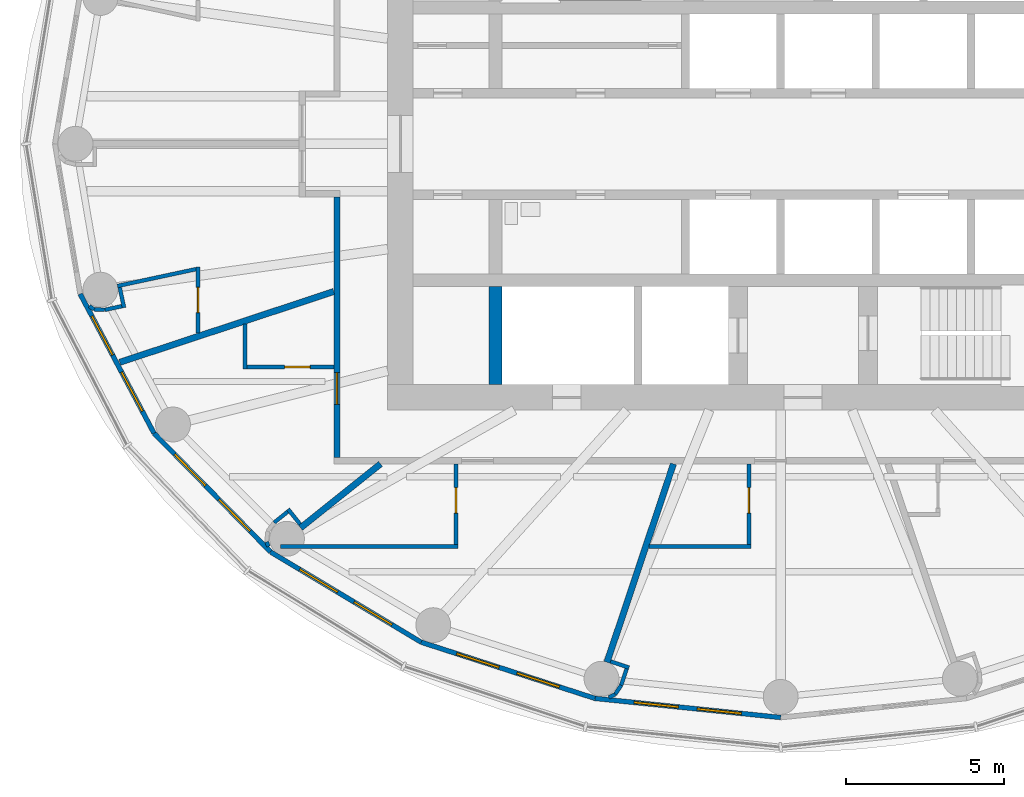
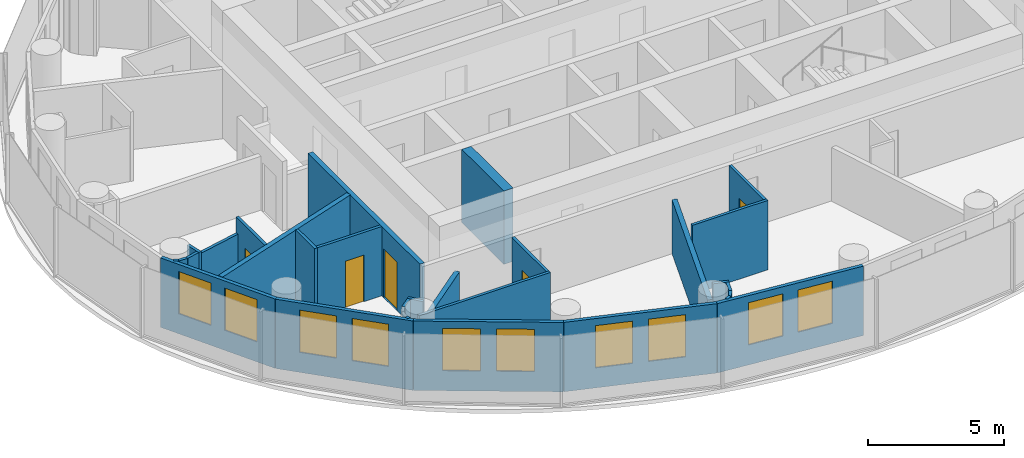
# One storey, part 6 of 16: 29 walls, 10 windows, 5 doors, 15 openings.
"""IFC4 building model written with IfcOpenShell, lengths in metres."""

import ifcopenshell
import ifcopenshell.guid

model = None  # the IFC model being written
_history = None  # IfcOwnerHistory: only IFC2X3 demands one
_inside = {}  # id of a spatial element -> (the spatial element, [elements in it])
_under = {}  # id of a project, library or spatial element -> (it, [spatial elements below it])
_declared = {}  # id of a project -> (the project, [libraries it declares])
_typed = {}  # id of a type object -> (the type object, [elements of that type])
_made_of = {}  # id of a material, layer set ... -> (it, [elements and type objects made of it])


def new_model(schema):
    """Start an empty IFC model of exactly this schema.

    Asked for "IFC4X3", IfcOpenShell would pick the latest addendum, in which some entities
    have other attributes; the version numbers below select the first issue.
    IFC2X3 requires an IfcOwnerHistory on every rooted entity: one is made here for all.
    """
    global model, _history
    if schema == "IFC4X3":
        model = ifcopenshell.file(schema_version=(4, 3, 0, 0))
    else:
        model = ifcopenshell.file(schema=schema)
    _inside.clear()
    _under.clear()
    _declared.clear()
    _typed.clear()
    _made_of.clear()
    _history = None
    if model.schema == "IFC2X3":
        org = make("IfcOrganization", Name="unknown")
        user = make(
            "IfcPersonAndOrganization",
            ThePerson=make("IfcPerson", FamilyName="unknown"),
            TheOrganization=org,
        )
        app = make(
            "IfcApplication",
            ApplicationDeveloper=org,
            Version="unknown",
            ApplicationFullName="unknown",
            ApplicationIdentifier="unknown",
        )
        _history = make(
            "IfcOwnerHistory",
            OwningUser=user,
            OwningApplication=app,
            ChangeAction="ADDED",
            CreationDate=0,
        )
    return model


def make(cls, **values):
    """One entity of the class cls with the attributes given. An attribute that is None is left unset."""
    return model.create_entity(
        cls, **{name: value for name, value in values.items() if value is not None}
    )


def rooted(cls, **values):
    """An entity with a GlobalId (a new one), such as an element, a storey or a relation."""
    return make(cls, GlobalId=ifcopenshell.guid.new(), OwnerHistory=_history, **values)


def si_unit(unit_type, name, prefix=None):
    """IfcSIUnit, for example si_unit("LENGTHUNIT", "METRE", prefix="MILLI")."""
    return make("IfcSIUnit", UnitType=unit_type, Prefix=prefix, Name=name)


def assignment(units):
    """IfcUnitAssignment: the units of a project."""
    return None if units is None else make("IfcUnitAssignment", Units=units)


def point(xyz):
    """IfcCartesianPoint."""
    return None if xyz is None else make("IfcCartesianPoint", Coordinates=xyz)


def direction(xyz):
    """IfcDirection."""
    return None if xyz is None else make("IfcDirection", DirectionRatios=xyz)


def frame(location, z_axis=None, x_axis=None):
    """IfcAxis2Placement3D, a coordinate frame: its origin and axes. An axis left out is left unset."""
    return make(
        "IfcAxis2Placement3D",
        Location=point(location),
        Axis=direction(z_axis),
        RefDirection=direction(x_axis),
    )


def frame_2d(location, x_axis=None):
    """IfcAxis2Placement2D, a coordinate frame in the plane: its origin and x axis."""
    return make(
        "IfcAxis2Placement2D", Location=point(location), RefDirection=direction(x_axis)
    )


def origin():
    """The frame at (0, 0, 0) with its axes left unset."""
    return frame((0.0, 0.0, 0.0))


def place(relative_to, where):
    """IfcLocalPlacement: puts the frame where relative to a parent placement (None: the world)."""
    return make(
        "IfcLocalPlacement", PlacementRelTo=relative_to, RelativePlacement=where
    )


def context(
    kind, dimensions, precision=None, world=None, true_north=None, identifier=None
):
    """IfcGeometricRepresentationContext, for example the 3D "Model" context."""
    return make(
        "IfcGeometricRepresentationContext",
        ContextIdentifier=identifier,
        ContextType=kind,
        CoordinateSpaceDimension=dimensions,
        Precision=precision,
        WorldCoordinateSystem=world,
        TrueNorth=true_north,
    )


def subcontext(parent, identifier, kind, view, scale=None):
    """IfcGeometricRepresentationSubContext, for example "Body" below "Model"."""
    return make(
        "IfcGeometricRepresentationSubContext",
        ContextIdentifier=identifier,
        ContextType=kind,
        ParentContext=parent,
        TargetScale=scale,
        TargetView=view,
    )


def project(units=None, contexts=None):
    """IfcProject with its units and contexts."""
    return rooted(
        "IfcProject",
        Name="project",
        RepresentationContexts=contexts,
        UnitsInContext=assignment(units),
    )


def spatial(cls, under=None, at=None, **own):
    """A site, building, storey or space (cls), placed at a placement, below another one or the project."""
    s = rooted(cls, ObjectPlacement=at, **own)
    if under is not None:
        _under.setdefault(under.id(), (under, []))[1].append(s)
    return s


def profile(cls, at=None, kind="AREA", **sizes):
    """A parametric profile (cls). Its sizes go by their IFC names, for example OverallWidth=200.0."""
    return make(cls, ProfileType=kind, Position=at, **sizes)


def rectangle(**sizes):
    """IfcRectangleProfileDef."""
    return profile("IfcRectangleProfileDef", **sizes)


def extrude(swept, where, along, depth):
    """IfcExtrudedAreaSolid: the profile swept, set in the frame where, extruded along a direction by depth."""
    return make(
        "IfcExtrudedAreaSolid",
        SweptArea=swept,
        Position=where,
        ExtrudedDirection=direction(along),
        Depth=depth,
    )


def shape(context_of_items, identifier, shape_type, items):
    """IfcShapeRepresentation: the items that make up one representation, for example the "Body"."""
    return make(
        "IfcShapeRepresentation",
        ContextOfItems=context_of_items,
        RepresentationIdentifier=identifier,
        RepresentationType=shape_type,
        Items=items,
    )


def material(Name=None, Category=None):
    """IfcMaterial."""
    return make("IfcMaterial", Name=Name, Category=Category)


def layer(
    of_material, thickness, ventilated=None, Name=None, Category=None, Priority=None
):
    """IfcMaterialLayer: one layer of a wall or slab, of a material (None: an air gap)."""
    return make(
        "IfcMaterialLayer",
        Material=of_material,
        LayerThickness=thickness,
        IsVentilated=ventilated,
        Name=Name,
        Category=Category,
        Priority=Priority,
    )


def layer_set(layers, Name=None):
    """IfcMaterialLayerSet."""
    return make("IfcMaterialLayerSet", MaterialLayers=layers, LayerSetName=Name)


def made_of(thing, what):
    """Note that an element or type object is made of a material, layer set ...; save() writes the relation."""
    if what is not None:
        _made_of.setdefault(what.id(), (what, []))[1].append(thing)
    return thing


def type_object(cls, material=None, **own):
    """A type object (cls), such as IfcWallType, which elements share."""
    return made_of(rooted(cls, **own), material)


def element(
    cls,
    number,
    at=None,
    inside=None,
    cuts=None,
    type_object=None,
    material=None,
    context=None,
    identifier="Body",
    shape_type=None,
    held_by="IfcProductDefinitionShape",
    body=None,
    shapes=None,
    **own,
):
    """One element of the class cls, such as IfcWall. Its Tag is "e" and its number.

    at: its placement. inside: the storey or other place that contains it. cuts: it is an
    opening in that element (IfcRelVoidsElement). A single representation is given by context,
    identifier, shape_type and body (its items); several are given by shapes. held_by: the class
    of the entity that holds the representations. save() writes the other relations.
    """
    e = rooted(cls, Tag="e%d" % number, ObjectPlacement=at, **own)
    if body is not None:
        shapes = [shape(context, identifier, shape_type, body)]
    if shapes is not None:
        e.Representation = make(held_by, Representations=shapes)
    if inside is not None:
        _inside.setdefault(inside.id(), (inside, []))[1].append(e)
    if cuts is not None:
        rooted(
            "IfcRelVoidsElement", RelatingBuildingElement=cuts, RelatedOpeningElement=e
        )
    if type_object is not None:
        _typed.setdefault(type_object.id(), (type_object, []))[1].append(e)
    return made_of(e, material)


def fill(opening, filler):
    """IfcRelFillsElement: the door or window that sits in an opening."""
    return rooted(
        "IfcRelFillsElement",
        RelatingOpeningElement=opening,
        RelatedBuildingElement=filler,
    )


def aggregate(whole, parts):
    """IfcRelAggregates: a whole, such as a stair, and the parts it consists of."""
    return rooted("IfcRelAggregates", RelatingObject=whole, RelatedObjects=parts)


def save(model, path):
    """Write the relations noted so far, then the file.

    IfcRelAggregates (storeys below a building ...), IfcRelContainedInSpatialStructure (elements
    in a storey), IfcRelDefinesByType, IfcRelAssociatesMaterial and IfcRelDeclares: one each for
    every whole, place, type object, material and project.
    """
    for whole, parts in _under.values():
        aggregate(whole, parts)
    for where, things in _inside.values():
        rooted(
            "IfcRelContainedInSpatialStructure",
            RelatedElements=things,
            RelatingStructure=where,
        )
    for kind, things in _typed.values():
        rooted("IfcRelDefinesByType", RelatedObjects=things, RelatingType=kind)
    for what, things in _made_of.values():
        rooted("IfcRelAssociatesMaterial", RelatedObjects=things, RelatingMaterial=what)
    for by, libraries in _declared.values():
        rooted("IfcRelDeclares", RelatingContext=by, RelatedDefinitions=libraries)
    model.write(path)


model = new_model("IFC4")

# Units and contexts
model_context = context("Model", 3, precision=1e-05, world=origin(), true_north=direction((0.0, 1.0)))
body_context = subcontext(model_context, "Body", "Model", "MODEL_VIEW")
ifc_project = project(units=[si_unit("LENGTHUNIT", "METRE"), si_unit("AREAUNIT", "SQUARE_METRE"), si_unit("VOLUMEUNIT", "CUBIC_METRE"), si_unit("PLANEANGLEUNIT", "RADIAN"), si_unit("MASSUNIT", "GRAM", prefix="KILO")], contexts=[model_context])

# Site, building, storey
site_placement = place(None, origin())
site = spatial("IfcSite", under=ifc_project, at=site_placement, CompositionType="ELEMENT")
building_placement = place(site_placement, origin())
building = spatial("IfcBuilding", under=site, at=building_placement, Name="Hankou Lantern Tower", CompositionType="ELEMENT")
storey_placement = place(building_placement, frame((0.0, 0.0, 169.800048828125)))
storey = spatial("IfcBuildingStorey", under=building, at=storey_placement, Name="L45", CompositionType="ELEMENT", Elevation=169.800048828125)

# Wall
ifc_material_1 = material(Name="Concrete C60", Category="concrete")
ifc_layer_1 = layer(ifc_material_1, 0.39990234375)
ifc_layer_set_1 = layer_set([ifc_layer_1], Name="Concrete C60")
wall_type_1 = type_object("IfcWallType", Name="CW4 CORE CROSS WALL 400", PredefinedType="SHEAR", material=ifc_layer_set_1)
wall_1_placement = place(storey_placement, frame((-9.0, -7.60009765625, 0.0), z_axis=(0.0, 0.0, 1.0), x_axis=(0.0, 1.0, 0.0)))
element("IfcWall", 1, at=wall_1_placement, inside=storey, type_object=wall_type_1, Name="Core strip wall L45", PredefinedType="SHEAR", context=body_context, shape_type="SweptSolid", body=[
    extrude(rectangle(XDim=3.10009765625, YDim=0.39990234375, at=frame_2d((1.550048828125, 0.0))), origin(), (0.0, 0.0, 1.0), 3.300048828125),
])

# Wall, openings, windows
ifc_material_2 = material(Name="Aluminium spandrel panel on steel studs", Category="steel")
ifc_layer_2 = layer(ifc_material_2, 0.14990234375)
ifc_layer_set_2 = layer_set([ifc_layer_2], Name="Aluminium spandrel panel on steel studs")
wall_type_2 = type_object("IfcWallType", Name="EW1 INNER SKIN WALL 150", PredefinedType="ELEMENTEDWALL", material=ifc_layer_set_2)
wall_2_placement = place(storey_placement, frame((-22.1015625, -4.73779296875, 0.0), z_axis=(0.0, 0.0, 1.0), x_axis=(0.468428906714, -0.883501193748, 0.0)))
wall_2 = element("IfcWall", 2, at=wall_2_placement, inside=storey, type_object=wall_type_2, Name="Inner skin R14-R15 L45", PredefinedType="ELEMENTEDWALL", context=body_context, shape_type="SweptSolid", body=[
    extrude(rectangle(XDim=4.9736328125, YDim=0.14990234375, at=frame_2d((2.48681640625, 0.0))), origin(), (0.0, 0.0, 1.0), 3.119873046875),
])
opening_1_placement = place(wall_2_placement, frame((0.786865234375, 0.0, 0.89990234375)))
opening_1 = element("IfcOpeningElement", 3, at=opening_1_placement, cuts=wall_2, Name="Opening W3", PredefinedType="OPENING", context=body_context, shape_type="SweptSolid", body=[
    extrude(rectangle(XDim=1.39990234375, YDim=1.89990234375, at=frame_2d((0.699951171875, 0.949951171875))), frame((0.0, 0.0849609375, 0.0), z_axis=(0.0, -1.0, 0.0), x_axis=(1.0, 0.0, 0.0)), (0.0, 0.0, 1.0), 0.169921875),
])
opening_2_placement = place(wall_2_placement, frame((2.786865234375, 0.0, 0.89990234375)))
opening_2 = element("IfcOpeningElement", 4, at=opening_2_placement, cuts=wall_2, Name="Opening W3", PredefinedType="OPENING", context=body_context, shape_type="SweptSolid", body=[
    extrude(rectangle(XDim=1.39990234375, YDim=1.89990234375, at=frame_2d((0.699951171875, 0.949951171875))), frame((0.0, 0.0849609375, 0.0), z_axis=(0.0, -1.0, 0.0), x_axis=(1.0, 0.0, 0.0)), (0.0, 0.0, 1.0), 0.169921875),
])
ifc_material_3 = material(Name="Aluminium framed double glazed window", Category="aluminium")
window_type = type_object("IfcWindowType", Name="W3 GUEST ROOM WINDOW 1400X1900", PartitioningType="DOUBLE_PANEL_VERTICAL", PredefinedType="WINDOW", material=ifc_material_3)
window_1_placement = place(opening_1_placement, origin())
window_1 = element("IfcWindow", 5, at=window_1_placement, inside=storey, type_object=window_type, Name="Window R14.1 L45", OverallHeight=1.89990234375, OverallWidth=1.39990234375, PartitioningType="SINGLE_PANEL", PredefinedType="WINDOW", context=body_context, shape_type="SweptSolid", body=[
    extrude(rectangle(XDim=1.39990234375, YDim=1.89990234375, at=frame_2d((0.699951171875, 0.949951171875))), frame((0.0, 0.030029296875, 0.0), z_axis=(0.0, -1.0, 0.0), x_axis=(1.0, 0.0, 0.0)), (0.0, 0.0, 1.0), 0.06005859375),
])
fill(opening_1, window_1)
window_2_placement = place(opening_2_placement, origin())
window_2 = element("IfcWindow", 6, at=window_2_placement, inside=storey, type_object=window_type, Name="Window R14.2 L45", OverallHeight=1.89990234375, OverallWidth=1.39990234375, PartitioningType="SINGLE_PANEL", PredefinedType="WINDOW", context=body_context, shape_type="SweptSolid", body=[
    extrude(rectangle(XDim=1.39990234375, YDim=1.89990234375, at=frame_2d((0.699951171875, 0.949951171875))), frame((0.0, 0.030029296875, 0.0), z_axis=(0.0, -1.0, 0.0), x_axis=(1.0, 0.0, 0.0)), (0.0, 0.0, 1.0), 0.06005859375),
])
fill(opening_2, window_2)

wall_3_placement = place(storey_placement, frame((-19.771728515625, -9.132080078125, 0.0), z_axis=(0.0, 0.0, 1.0), x_axis=(0.700727467776, -0.71342905457, 0.0)))
wall_3 = element("IfcWall", 7, at=wall_3_placement, inside=storey, type_object=wall_type_2, Name="Inner skin R15-R16 L45", PredefinedType="ELEMENTEDWALL", context=body_context, shape_type="SweptSolid", body=[
    extrude(rectangle(XDim=5.247314453125, YDim=0.14990234375, at=frame_2d((2.62353515625, 0.0))), origin(), (0.0, 0.0, 1.0), 3.119873046875),
])
opening_3_placement = place(wall_3_placement, frame((0.923583984375, 0.0, 0.89990234375)))
opening_3 = element("IfcOpeningElement", 8, at=opening_3_placement, cuts=wall_3, Name="Opening W3", PredefinedType="OPENING", context=body_context, shape_type="SweptSolid", body=[
    extrude(rectangle(XDim=1.39990234375, YDim=1.89990234375, at=frame_2d((0.699951171875, 0.949951171875))), frame((0.0, 0.0849609375, 0.0), z_axis=(0.0, -1.0, 0.0), x_axis=(1.0, 0.0, 0.0)), (0.0, 0.0, 1.0), 0.169921875),
])
opening_4_placement = place(wall_3_placement, frame((2.923583984375, 0.0, 0.89990234375)))
opening_4 = element("IfcOpeningElement", 9, at=opening_4_placement, cuts=wall_3, Name="Opening W3", PredefinedType="OPENING", context=body_context, shape_type="SweptSolid", body=[
    extrude(rectangle(XDim=1.39990234375, YDim=1.89990234375, at=frame_2d((0.699951171875, 0.949951171875))), frame((0.0, 0.0849609375, 0.0), z_axis=(0.0, -1.0, 0.0), x_axis=(1.0, 0.0, 0.0)), (0.0, 0.0, 1.0), 0.169921875),
])
window_3_placement = place(opening_3_placement, origin())
window_3 = element("IfcWindow", 10, at=window_3_placement, inside=storey, type_object=window_type, Name="Window R15.1 L45", OverallHeight=1.89990234375, OverallWidth=1.39990234375, PartitioningType="SINGLE_PANEL", PredefinedType="WINDOW", context=body_context, shape_type="SweptSolid", body=[
    extrude(rectangle(XDim=1.39990234375, YDim=1.89990234375, at=frame_2d((0.699951171875, 0.949951171875))), frame((0.0, 0.030029296875, 0.0), z_axis=(0.0, -1.0, 0.0), x_axis=(1.0, 0.0, 0.0)), (0.0, 0.0, 1.0), 0.06005859375),
])
fill(opening_3, window_3)
window_4_placement = place(opening_4_placement, origin())
window_4 = element("IfcWindow", 11, at=window_4_placement, inside=storey, type_object=window_type, Name="Window R15.2 L45", OverallHeight=1.89990234375, OverallWidth=1.39990234375, PartitioningType="SINGLE_PANEL", PredefinedType="WINDOW", context=body_context, shape_type="SweptSolid", body=[
    extrude(rectangle(XDim=1.39990234375, YDim=1.89990234375, at=frame_2d((0.699951171875, 0.949951171875))), frame((0.0, 0.030029296875, 0.0), z_axis=(0.0, -1.0, 0.0), x_axis=(1.0, 0.0, 0.0)), (0.0, 0.0, 1.0), 0.06005859375),
])
fill(opening_4, window_4)

wall_4_placement = place(storey_placement, frame((-16.0947265625, -12.875732421875, 0.0), z_axis=(0.0, 0.0, 1.0), x_axis=(0.857695199231, -0.514158482587, 0.0)))
wall_4 = element("IfcWall", 12, at=wall_4_placement, inside=storey, type_object=wall_type_2, Name="Inner skin R16-R17 L45", PredefinedType="ELEMENTEDWALL", context=body_context, shape_type="SweptSolid", body=[
    extrude(rectangle(XDim=5.5361328125, YDim=0.14990234375, at=frame_2d((2.76806640625, 0.0))), origin(), (0.0, 0.0, 1.0), 3.119873046875),
])
opening_5_placement = place(wall_4_placement, frame((1.068115234375, 0.0, 0.89990234375)))
opening_5 = element("IfcOpeningElement", 13, at=opening_5_placement, cuts=wall_4, Name="Opening W3", PredefinedType="OPENING", context=body_context, shape_type="SweptSolid", body=[
    extrude(rectangle(XDim=1.39990234375, YDim=1.89990234375, at=frame_2d((0.699951171875, 0.949951171875))), frame((0.0, 0.0849609375, 0.0), z_axis=(0.0, -1.0, 0.0), x_axis=(1.0, 0.0, 0.0)), (0.0, 0.0, 1.0), 0.169921875),
])
opening_6_placement = place(wall_4_placement, frame((3.068115234375, 0.0, 0.89990234375)))
opening_6 = element("IfcOpeningElement", 14, at=opening_6_placement, cuts=wall_4, Name="Opening W3", PredefinedType="OPENING", context=body_context, shape_type="SweptSolid", body=[
    extrude(rectangle(XDim=1.39990234375, YDim=1.89990234375, at=frame_2d((0.699951171875, 0.949951171875))), frame((0.0, 0.0849609375, 0.0), z_axis=(0.0, -1.0, 0.0), x_axis=(1.0, 0.0, 0.0)), (0.0, 0.0, 1.0), 0.169921875),
])
window_5_placement = place(opening_5_placement, origin())
window_5 = element("IfcWindow", 15, at=window_5_placement, inside=storey, type_object=window_type, Name="Window R16.1 L45", OverallHeight=1.89990234375, OverallWidth=1.39990234375, PartitioningType="SINGLE_PANEL", PredefinedType="WINDOW", context=body_context, shape_type="SweptSolid", body=[
    extrude(rectangle(XDim=1.39990234375, YDim=1.89990234375, at=frame_2d((0.699951171875, 0.949951171875))), frame((0.0, 0.030029296875, 0.0), z_axis=(0.0, -1.0, 0.0), x_axis=(1.0, 0.0, 0.0)), (0.0, 0.0, 1.0), 0.06005859375),
])
fill(opening_5, window_5)
window_6_placement = place(opening_6_placement, origin())
window_6 = element("IfcWindow", 16, at=window_6_placement, inside=storey, type_object=window_type, Name="Window R16.2 L45", OverallHeight=1.89990234375, OverallWidth=1.39990234375, PartitioningType="SINGLE_PANEL", PredefinedType="WINDOW", context=body_context, shape_type="SweptSolid", body=[
    extrude(rectangle(XDim=1.39990234375, YDim=1.89990234375, at=frame_2d((0.699951171875, 0.949951171875))), frame((0.0, 0.030029296875, 0.0), z_axis=(0.0, -1.0, 0.0), x_axis=(1.0, 0.0, 0.0)), (0.0, 0.0, 1.0), 0.06005859375),
])
fill(opening_6, window_6)

wall_5_placement = place(storey_placement, frame((-11.346435546875, -15.72216796875, 0.0), z_axis=(0.0, 0.0, 1.0), x_axis=(0.951432482129, -0.307857486429, 0.0)))
wall_5 = element("IfcWall", 17, at=wall_5_placement, inside=storey, type_object=wall_type_2, Name="Inner skin R17-R18 L45", PredefinedType="ELEMENTEDWALL", context=body_context, shape_type="SweptSolid", body=[
    extrude(rectangle(XDim=5.76611328125, YDim=0.14990234375, at=frame_2d((2.883056640625, 0.0))), origin(), (0.0, 0.0, 1.0), 3.119873046875),
])
opening_7_placement = place(wall_5_placement, frame((1.18310546875, 0.0, 0.89990234375)))
opening_7 = element("IfcOpeningElement", 18, at=opening_7_placement, cuts=wall_5, Name="Opening W3", PredefinedType="OPENING", context=body_context, shape_type="SweptSolid", body=[
    extrude(rectangle(XDim=1.39990234375, YDim=1.89990234375, at=frame_2d((0.699951171875, 0.949951171875))), frame((0.0, 0.0849609375, 0.0), z_axis=(0.0, -1.0, 0.0), x_axis=(1.0, 0.0, 0.0)), (0.0, 0.0, 1.0), 0.169921875),
])
opening_8_placement = place(wall_5_placement, frame((3.18310546875, 0.0, 0.89990234375)))
opening_8 = element("IfcOpeningElement", 19, at=opening_8_placement, cuts=wall_5, Name="Opening W3", PredefinedType="OPENING", context=body_context, shape_type="SweptSolid", body=[
    extrude(rectangle(XDim=1.39990234375, YDim=1.89990234375, at=frame_2d((0.699951171875, 0.949951171875))), frame((0.0, 0.0849609375, 0.0), z_axis=(0.0, -1.0, 0.0), x_axis=(1.0, 0.0, 0.0)), (0.0, 0.0, 1.0), 0.169921875),
])
window_7_placement = place(opening_7_placement, origin())
window_7 = element("IfcWindow", 20, at=window_7_placement, inside=storey, type_object=window_type, Name="Window R17.1 L45", OverallHeight=1.89990234375, OverallWidth=1.39990234375, PartitioningType="SINGLE_PANEL", PredefinedType="WINDOW", context=body_context, shape_type="SweptSolid", body=[
    extrude(rectangle(XDim=1.39990234375, YDim=1.89990234375, at=frame_2d((0.699951171875, 0.949951171875))), frame((0.0, 0.030029296875, 0.0), z_axis=(0.0, -1.0, 0.0), x_axis=(1.0, 0.0, 0.0)), (0.0, 0.0, 1.0), 0.06005859375),
])
fill(opening_7, window_7)
window_8_placement = place(opening_8_placement, origin())
window_8 = element("IfcWindow", 21, at=window_8_placement, inside=storey, type_object=window_type, Name="Window R17.2 L45", OverallHeight=1.89990234375, OverallWidth=1.39990234375, PartitioningType="SINGLE_PANEL", PredefinedType="WINDOW", context=body_context, shape_type="SweptSolid", body=[
    extrude(rectangle(XDim=1.39990234375, YDim=1.89990234375, at=frame_2d((0.699951171875, 0.949951171875))), frame((0.0, 0.030029296875, 0.0), z_axis=(0.0, -1.0, 0.0), x_axis=(1.0, 0.0, 0.0)), (0.0, 0.0, 1.0), 0.06005859375),
])
fill(opening_8, window_8)

wall_6_placement = place(storey_placement, frame((-5.8603515625, -17.497314453125, 0.0), z_axis=(0.0, 0.0, 1.0), x_axis=(0.994751738032, -0.102318032045, 0.0)))
wall_6 = element("IfcWall", 22, at=wall_6_placement, inside=storey, type_object=wall_type_2, Name="Inner skin R18-R19 L45", PredefinedType="ELEMENTEDWALL", context=body_context, shape_type="SweptSolid", body=[
    extrude(rectangle(XDim=5.891357421875, YDim=0.14990234375, at=frame_2d((2.94580078125, 0.0))), origin(), (0.0, 0.0, 1.0), 3.119873046875),
])
opening_9_placement = place(wall_6_placement, frame((1.24560546875, 0.0, 0.89990234375)))
opening_9 = element("IfcOpeningElement", 23, at=opening_9_placement, cuts=wall_6, Name="Opening W3", PredefinedType="OPENING", context=body_context, shape_type="SweptSolid", body=[
    extrude(rectangle(XDim=1.39990234375, YDim=1.89990234375, at=frame_2d((0.699951171875, 0.949951171875))), frame((0.0, 0.0849609375, 0.0), z_axis=(0.0, -1.0, 0.0), x_axis=(1.0, 0.0, 0.0)), (0.0, 0.0, 1.0), 0.169921875),
])
opening_10_placement = place(wall_6_placement, frame((3.24560546875, 0.0, 0.89990234375)))
opening_10 = element("IfcOpeningElement", 24, at=opening_10_placement, cuts=wall_6, Name="Opening W3", PredefinedType="OPENING", context=body_context, shape_type="SweptSolid", body=[
    extrude(rectangle(XDim=1.39990234375, YDim=1.89990234375, at=frame_2d((0.699951171875, 0.949951171875))), frame((0.0, 0.0849609375, 0.0), z_axis=(0.0, -1.0, 0.0), x_axis=(1.0, 0.0, 0.0)), (0.0, 0.0, 1.0), 0.169921875),
])
window_9_placement = place(opening_9_placement, origin())
window_9 = element("IfcWindow", 25, at=window_9_placement, inside=storey, type_object=window_type, Name="Window R18.1 L45", OverallHeight=1.89990234375, OverallWidth=1.39990234375, PartitioningType="SINGLE_PANEL", PredefinedType="WINDOW", context=body_context, shape_type="SweptSolid", body=[
    extrude(rectangle(XDim=1.39990234375, YDim=1.89990234375, at=frame_2d((0.699951171875, 0.949951171875))), frame((0.0, 0.030029296875, 0.0), z_axis=(0.0, -1.0, 0.0), x_axis=(1.0, 0.0, 0.0)), (0.0, 0.0, 1.0), 0.06005859375),
])
fill(opening_9, window_9)
window_10_placement = place(opening_10_placement, origin())
window_10 = element("IfcWindow", 26, at=window_10_placement, inside=storey, type_object=window_type, Name="Window R18.2 L45", OverallHeight=1.89990234375, OverallWidth=1.39990234375, PartitioningType="SINGLE_PANEL", PredefinedType="WINDOW", context=body_context, shape_type="SweptSolid", body=[
    extrude(rectangle(XDim=1.39990234375, YDim=1.89990234375, at=frame_2d((0.699951171875, 0.949951171875))), frame((0.0, 0.030029296875, 0.0), z_axis=(0.0, -1.0, 0.0), x_axis=(1.0, 0.0, 0.0)), (0.0, 0.0, 1.0), 0.06005859375),
])
fill(opening_10, window_10)

# Walls
ifc_material_4 = material(Name="Masonry lightweight concrete block", Category="masonry")
ifc_layer_3 = layer(ifc_material_4, 0.199951171875)
ifc_layer_set_3 = layer_set([ifc_layer_3], Name="Masonry lightweight concrete block")
wall_type_3 = type_object("IfcWallType", Name="IW1 GUEST ROOM PARTY WALL 200", PredefinedType="PARTITIONING", material=ifc_layer_set_3)
wall_7_placement = place(storey_placement, frame((-14.10009765625, -4.661376953125, 0.0), z_axis=(0.0, 0.0, 1.0), x_axis=(-0.949453216399, -0.313908569285, 0.0)))
element("IfcWall", 27, at=wall_7_placement, inside=storey, type_object=wall_type_3, Name="Party wall R14-R15", PredefinedType="PARTITIONING", context=body_context, shape_type="SweptSolid", body=[
    extrude(rectangle(XDim=7.108642578125, YDim=0.199951171875, at=frame_2d((3.55419921875, 0.0))), origin(), (0.0, 0.0, 1.0), 3.119873046875),
])
wall_8_placement = place(storey_placement, frame((-12.625, -10.10009765625, 0.0), z_axis=(0.0, 0.0, 1.0), x_axis=(-0.780876185034, -0.624685827954, 0.0)))
element("IfcWall", 28, at=wall_8_placement, inside=storey, type_object=wall_type_3, Name="Party wall R16", PredefinedType="PARTITIONING", context=body_context, shape_type="SweptSolid", body=[
    extrude(rectangle(XDim=3.229248046875, YDim=0.199951171875, at=frame_2d((1.61474609375, 0.0))), origin(), (0.0, 0.0, 1.0), 2.419921875),
])
wall_9_placement = place(storey_placement, frame((-3.3828125, -10.10009765625, 0.0), z_axis=(0.0, 0.0, 1.0), x_axis=(-0.317615120474, -0.948219718866, 0.0)))
element("IfcWall", 29, at=wall_9_placement, inside=storey, type_object=wall_type_3, Name="Party wall R18", PredefinedType="PARTITIONING", context=body_context, shape_type="SweptSolid", body=[
    extrude(rectangle(XDim=6.597412109375, YDim=0.199951171875, at=frame_2d((3.298828125, 0.0))), origin(), (0.0, 0.0, 1.0), 2.419921875),
])

# Wall, opening, door
ifc_material_5 = material(Name="Masonry lightweight concrete block", Category="masonry")
ifc_layer_4 = layer(ifc_material_5, 0.199951171875)
ifc_layer_set_4 = layer_set([ifc_layer_4], Name="Masonry lightweight concrete block")
wall_type_4 = type_object("IfcWallType", Name="IW2 CORRIDOR WALL 200", PredefinedType="PARTITIONING", material=ifc_layer_set_4)
wall_10_placement = place(storey_placement, frame((-14.0, -1.669921875, 0.0), z_axis=(0.0, 0.0, 1.0), x_axis=(0.0, -1.0, 0.0)))
wall_10 = element("IfcWall", 30, at=wall_10_placement, inside=storey, type_object=wall_type_4, Name="Corridor wall west", PredefinedType="PARTITIONING", context=body_context, shape_type="SweptSolid", body=[
    extrude(rectangle(XDim=8.22998046875, YDim=0.199951171875, at=frame_2d((4.114990234375, 0.0))), origin(), (0.0, 0.0, 1.0), 3.119873046875),
])
opening_11_placement = place(wall_10_placement, frame((5.551513671875, 0.0, 0.0)))
opening_11 = element("IfcOpeningElement", 31, at=opening_11_placement, cuts=wall_10, Name="Opening D1", PredefinedType="OPENING", context=body_context, shape_type="SweptSolid", body=[
    extrude(rectangle(XDim=1.0, YDim=2.199951171875, at=frame_2d((0.5, 1.10009765625))), frame((0.0, 0.10986328125, 0.0), z_axis=(0.0, -1.0, 0.0), x_axis=(1.0, 0.0, 0.0)), (0.0, 0.0, 1.0), 0.219970703125),
])
ifc_material_6 = material(Name="Steel door leaf", Category="steel")
door_type_1 = type_object("IfcDoorType", Name="D1 GUEST ROOM DOOR 1000X2200", OperationType="SINGLE_SWING_LEFT", PredefinedType="DOOR", material=ifc_material_6)
door_1_placement = place(opening_11_placement, origin())
door_1 = element("IfcDoor", 32, at=door_1_placement, inside=storey, type_object=door_type_1, Name="Guest room door 4514", OperationType="SINGLE_SWING_RIGHT", OverallHeight=2.199951171875, OverallWidth=1.0, PredefinedType="DOOR", context=body_context, shape_type="SweptSolid", body=[
    extrude(rectangle(XDim=1.0, YDim=2.199951171875, at=frame_2d((0.5, 1.10009765625))), frame((0.0, 0.02490234375, 0.0), z_axis=(0.0, -1.0, 0.0), x_axis=(1.0, 0.0, 0.0)), (0.0, 0.0, 1.0), 0.050048828125),
])
fill(opening_11, door_1)

# Wall
ifc_material_7 = material(Name="Masonry lightweight concrete block", Category="masonry")
ifc_layer_5 = layer(ifc_material_7, 0.1201171875)
ifc_layer_set_5 = layer_set([ifc_layer_5], Name="Masonry lightweight concrete block")
wall_type_5 = type_object("IfcWallType", Name="IW3 BATHROOM WALL 120", PredefinedType="PARTITIONING", material=ifc_layer_set_5)
wall_11_placement = place(storey_placement, frame((-15.77490234375, -12.699951171875, 0.0), z_axis=(0.0, 0.0, 1.0), x_axis=(1.0, 0.0, 0.0)))
element("IfcWall", 33, at=wall_11_placement, inside=storey, type_object=wall_type_5, Name="Box wall 4501 1", PredefinedType="PARTITIONING", context=body_context, shape_type="SweptSolid", body=[
    extrude(rectangle(XDim=5.58984375, YDim=0.1201171875, at=frame_2d((2.794921875, 0.0))), origin(), (0.0, 0.0, 1.0), 3.119873046875),
])

# Wall, opening, door
wall_12_placement = place(storey_placement, frame((-10.2451171875, -10.10009765625, 0.0), z_axis=(0.0, 0.0, 1.0), x_axis=(0.0, -1.0, 0.0)))
wall_12 = element("IfcWall", 34, at=wall_12_placement, inside=storey, type_object=wall_type_5, Name="Box wall 4501 1", PredefinedType="PARTITIONING", context=body_context, shape_type="SweptSolid", body=[
    extrude(rectangle(XDim=2.539794921875, YDim=0.1201171875, at=frame_2d((1.27001953125, 0.0))), origin(), (0.0, 0.0, 1.0), 3.119873046875),
])
opening_12_placement = place(wall_12_placement, frame((0.75, 0.0, 0.0)))
opening_12 = element("IfcOpeningElement", 35, at=opening_12_placement, cuts=wall_12, Name="Opening D3", PredefinedType="OPENING", context=body_context, shape_type="SweptSolid", body=[
    extrude(rectangle(XDim=0.800048828125, YDim=2.10009765625, at=frame_2d((0.39990234375, 1.050048828125))), frame((0.0, 0.070068359375, 0.0), z_axis=(0.0, -1.0, 0.0), x_axis=(1.0, 0.0, 0.0)), (0.0, 0.0, 1.0), 0.14013671875),
])
ifc_material_8 = material(Name="Timber door leaf", Category="wood")
door_type_2 = type_object("IfcDoorType", Name="D3 BATHROOM DOOR 800X2100", OperationType="SINGLE_SWING_LEFT", PredefinedType="DOOR", material=ifc_material_8)
door_2_placement = place(opening_12_placement, origin())
door_2 = element("IfcDoor", 36, at=door_2_placement, inside=storey, type_object=door_type_2, Name="Junior suite 4501 bathroom door", OperationType="SINGLE_SWING_LEFT", OverallHeight=2.10009765625, OverallWidth=0.800048828125, PredefinedType="DOOR", context=body_context, shape_type="SweptSolid", body=[
    extrude(rectangle(XDim=0.800048828125, YDim=2.10009765625, at=frame_2d((0.39990234375, 1.050048828125))), frame((0.0, 0.02490234375, 0.0), z_axis=(0.0, -1.0, 0.0), x_axis=(1.0, 0.0, 0.0)), (0.0, 0.0, 1.0), 0.050048828125),
])
fill(opening_12, door_2)

# Wall
wall_13_placement = place(storey_placement, frame((-4.15380859375, -12.699951171875, 0.0), z_axis=(0.0, 0.0, 1.0), x_axis=(1.0, 0.0, 0.0)))
element("IfcWall", 37, at=wall_13_placement, inside=storey, type_object=wall_type_5, Name="Box wall 4502 1", PredefinedType="PARTITIONING", context=body_context, shape_type="SweptSolid", body=[
    extrude(rectangle(XDim=3.2109375, YDim=0.1201171875, at=frame_2d((1.60546875, 0.0))), origin(), (0.0, 0.0, 1.0), 3.119873046875),
])

# Wall, opening, door
wall_14_placement = place(storey_placement, frame((-1.0029296875, -10.10009765625, 0.0), z_axis=(0.0, 0.0, 1.0), x_axis=(0.0, -1.0, 0.0)))
wall_14 = element("IfcWall", 38, at=wall_14_placement, inside=storey, type_object=wall_type_5, Name="Box wall 4502 1", PredefinedType="PARTITIONING", context=body_context, shape_type="SweptSolid", body=[
    extrude(rectangle(XDim=2.539794921875, YDim=0.1201171875, at=frame_2d((1.27001953125, 0.0))), origin(), (0.0, 0.0, 1.0), 3.119873046875),
])
opening_13_placement = place(wall_14_placement, frame((0.75, 0.0, 0.0)))
opening_13 = element("IfcOpeningElement", 39, at=opening_13_placement, cuts=wall_14, Name="Opening D3", PredefinedType="OPENING", context=body_context, shape_type="SweptSolid", body=[
    extrude(rectangle(XDim=0.800048828125, YDim=2.10009765625, at=frame_2d((0.39990234375, 1.050048828125))), frame((0.0, 0.070068359375, 0.0), z_axis=(0.0, -1.0, 0.0), x_axis=(1.0, 0.0, 0.0)), (0.0, 0.0, 1.0), 0.14013671875),
])
door_3_placement = place(opening_13_placement, origin())
door_3 = element("IfcDoor", 40, at=door_3_placement, inside=storey, type_object=door_type_2, Name="Junior suite 4502 bathroom door", OperationType="SINGLE_SWING_LEFT", OverallHeight=2.10009765625, OverallWidth=0.800048828125, PredefinedType="DOOR", context=body_context, shape_type="SweptSolid", body=[
    extrude(rectangle(XDim=0.800048828125, YDim=2.10009765625, at=frame_2d((0.39990234375, 1.050048828125))), frame((0.0, 0.02490234375, 0.0), z_axis=(0.0, -1.0, 0.0), x_axis=(1.0, 0.0, 0.0)), (0.0, 0.0, 1.0), 0.050048828125),
])
fill(opening_13, door_3)

wall_15_placement = place(storey_placement, frame((-18.380859375, -5.971435546875, 0.0), z_axis=(0.0, 0.0, 1.0), x_axis=(-0.000934142516, 0.999999563689, 0.0)))
wall_15 = element("IfcWall", 41, at=wall_15_placement, inside=storey, type_object=wall_type_5, Name="Box wall 4513 1", PredefinedType="PARTITIONING", context=body_context, shape_type="SweptSolid", body=[
    extrude(rectangle(XDim=2.0908203125, YDim=0.1201171875, at=frame_2d((1.04541015625, 0.0))), origin(), (0.0, 0.0, 1.0), 3.119873046875),
])
opening_14_placement = place(wall_15_placement, frame((0.6455078125, 0.0, 0.0)))
opening_14 = element("IfcOpeningElement", 42, at=opening_14_placement, cuts=wall_15, Name="Opening D3", PredefinedType="OPENING", context=body_context, shape_type="SweptSolid", body=[
    extrude(rectangle(XDim=0.800048828125, YDim=2.10009765625, at=frame_2d((0.39990234375, 1.050048828125))), frame((0.0, 0.070068359375, 0.0), z_axis=(0.0, -1.0, 0.0), x_axis=(1.0, 0.0, 0.0)), (0.0, 0.0, 1.0), 0.14013671875),
])
door_4_placement = place(opening_14_placement, origin())
door_4 = element("IfcDoor", 43, at=door_4_placement, inside=storey, type_object=door_type_2, Name="En-suite bathroom 4513 door", OperationType="SINGLE_SWING_RIGHT", OverallHeight=2.10009765625, OverallWidth=0.800048828125, PredefinedType="DOOR", context=body_context, shape_type="SweptSolid", body=[
    extrude(rectangle(XDim=0.800048828125, YDim=2.10009765625, at=frame_2d((0.39990234375, 1.050048828125))), frame((0.0, 0.02490234375, 0.0), z_axis=(0.0, -1.0, 0.0), x_axis=(1.0, 0.0, 0.0)), (0.0, 0.0, 1.0), 0.050048828125),
])
fill(opening_14, door_4)

# Walls
wall_16_placement = place(storey_placement, frame((-18.44140625, -3.953125, 0.0), z_axis=(0.0, 0.0, 1.0), x_axis=(-0.977801007461, -0.209535652833, 0.0)))
element("IfcWall", 44, at=wall_16_placement, inside=storey, type_object=wall_type_5, Name="Box wall 4513 2", PredefinedType="PARTITIONING", context=body_context, shape_type="SweptSolid", body=[
    extrude(rectangle(XDim=2.5400390625, YDim=0.1201171875, at=frame_2d((1.27001953125, 0.0))), origin(), (0.0, 0.0, 1.0), 2.419921875),
])
wall_17_placement = place(storey_placement, frame((-20.853759765625, -4.531494140625, 0.0), z_axis=(0.0, 0.0, 1.0), x_axis=(0.209631346779, -0.977780496046, 0.0)))
element("IfcWall", 45, at=wall_17_placement, inside=storey, type_object=wall_type_5, Name="Column casing 4513 return", PredefinedType="PARTITIONING", context=body_context, shape_type="SweptSolid", body=[
    extrude(rectangle(XDim=0.652099609375, YDim=0.1201171875, at=frame_2d((0.326171875, 0.0))), origin(), (0.0, 0.0, 1.0), 3.119873046875),
])
wall_18_placement = place(storey_placement, frame((-20.788330078125, -5.123291015625, 0.0), z_axis=(0.0, 0.0, 1.0), x_axis=(-0.977789415726, -0.209589738521, 0.0)))
element("IfcWall", 46, at=wall_18_placement, inside=storey, type_object=wall_type_5, Name="Column casing 4513", PredefinedType="PARTITIONING", context=body_context, shape_type="SweptSolid", body=[
    extrude(rectangle(XDim=0.5498046875, YDim=0.1201171875, at=frame_2d((0.27490234375, 0.0))), origin(), (0.0, 0.0, 1.0), 3.119873046875),
])
wall_19_placement = place(storey_placement, frame((-21.325927734375, -5.238525390625, 0.0), z_axis=(0.0, 0.0, 1.0), x_axis=(-0.998719689441, 0.050586380797, 0.0)))
element("IfcWall", 47, at=wall_19_placement, inside=storey, type_object=wall_type_5, Name="Column casing 4513", PredefinedType="PARTITIONING", context=body_context, shape_type="SweptSolid", body=[
    extrude(rectangle(XDim=0.337890625, YDim=0.1201171875, at=frame_2d((0.1689453125, 0.0))), origin(), (0.0, 0.0, 1.0), 3.119873046875),
])
wall_20_placement = place(storey_placement, frame((-21.663330078125, -5.221435546875, 0.0), z_axis=(0.0, 0.0, 1.0), x_axis=(-0.839279022252, 0.543700949795, 0.0)))
element("IfcWall", 48, at=wall_20_placement, inside=storey, type_object=wall_type_5, Name="Column casing 4513", PredefinedType="PARTITIONING", context=body_context, shape_type="SweptSolid", body=[
    extrude(rectangle(XDim=0.18017578125, YDim=0.1201171875, at=frame_2d((0.090087890625, 0.0))), origin(), (0.0, 0.0, 1.0), 3.119873046875),
])
wall_21_placement = place(storey_placement, frame((-16.89990234375, -5.687255859375, 0.0), z_axis=(0.0, 0.0, 1.0), x_axis=(0.0, -1.0, 0.0)))
element("IfcWall", 49, at=wall_21_placement, inside=storey, type_object=wall_type_5, Name="Box wall 4514 1", PredefinedType="PARTITIONING", context=body_context, shape_type="SweptSolid", body=[
    extrude(rectangle(XDim=1.414306640625, YDim=0.1201171875, at=frame_2d((0.70703125, 0.0))), origin(), (0.0, 0.0, 1.0), 3.119873046875),
])

# Wall, opening, door
wall_22_placement = place(storey_placement, frame((-14.10009765625, -7.04150390625, 0.0), z_axis=(0.0, 0.0, 1.0), x_axis=(-1.0, 0.0, 0.0)))
wall_22 = element("IfcWall", 50, at=wall_22_placement, inside=storey, type_object=wall_type_5, Name="Box wall 4514 1", PredefinedType="PARTITIONING", context=body_context, shape_type="SweptSolid", body=[
    extrude(rectangle(XDim=2.739990234375, YDim=0.1201171875, at=frame_2d((1.3701171875, 0.0))), origin(), (0.0, 0.0, 1.0), 3.119873046875),
])
opening_15_placement = place(wall_22_placement, frame((0.75, 0.0, 0.0)))
opening_15 = element("IfcOpeningElement", 51, at=opening_15_placement, cuts=wall_22, Name="Opening D3", PredefinedType="OPENING", context=body_context, shape_type="SweptSolid", body=[
    extrude(rectangle(XDim=0.800048828125, YDim=2.10009765625, at=frame_2d((0.39990234375, 1.050048828125))), frame((0.0, 0.070068359375, 0.0), z_axis=(0.0, -1.0, 0.0), x_axis=(1.0, 0.0, 0.0)), (0.0, 0.0, 1.0), 0.14013671875),
])
door_5_placement = place(opening_15_placement, origin())
door_5 = element("IfcDoor", 52, at=door_5_placement, inside=storey, type_object=door_type_2, Name="En-suite bathroom 4514 door", OperationType="SINGLE_SWING_LEFT", OverallHeight=2.10009765625, OverallWidth=0.800048828125, PredefinedType="DOOR", context=body_context, shape_type="SweptSolid", body=[
    extrude(rectangle(XDim=0.800048828125, YDim=2.10009765625, at=frame_2d((0.39990234375, 1.050048828125))), frame((0.0, 0.02490234375, 0.0), z_axis=(0.0, -1.0, 0.0), x_axis=(1.0, 0.0, 0.0)), (0.0, 0.0, 1.0), 0.050048828125),
])
fill(opening_15, door_5)

# Walls
ifc_material_9 = material(Name="Masonry lightweight concrete block", Category="masonry")
ifc_layer_6 = layer(ifc_material_9, 0.1201171875)
ifc_layer_set_6 = layer_set([ifc_layer_6], Name="Masonry lightweight concrete block")
wall_type_6 = type_object("IfcWallType", Name="IW4 PARTITION 120", PredefinedType="PARTITIONING", material=ifc_layer_set_6)
wall_23_placement = place(storey_placement, frame((-15.162353515625, -12.001708984375, 0.0), z_axis=(0.0, 0.0, 1.0), x_axis=(-0.624597762427, 0.780946627607, 0.0)))
element("IfcWall", 53, at=wall_23_placement, inside=storey, type_object=wall_type_6, Name="Column casing R16 return", PredefinedType="PARTITIONING", context=body_context, shape_type="SweptSolid", body=[
    extrude(rectangle(XDim=0.612060546875, YDim=0.1201171875, at=frame_2d((0.30615234375, 0.0))), origin(), (0.0, 0.0, 1.0), 3.119873046875),
])
wall_24_placement = place(storey_placement, frame((-15.55419921875, -11.60791015625, 0.0), z_axis=(0.0, 0.0, 1.0), x_axis=(-0.780695577787, -0.624911525597, 0.0)))
element("IfcWall", 54, at=wall_24_placement, inside=storey, type_object=wall_type_6, Name="Column casing R16", PredefinedType="PARTITIONING", context=body_context, shape_type="SweptSolid", body=[
    extrude(rectangle(XDim=0.550048828125, YDim=0.1201171875, at=frame_2d((0.27490234375, 0.0))), origin(), (0.0, 0.0, 1.0), 3.119873046875),
])
wall_25_placement = place(storey_placement, frame((-16.220947265625, -12.55908203125, 0.0), z_axis=(0.0, 0.0, 1.0), x_axis=(0.401064416249, -0.916049853457, 0.0)))
element("IfcWall", 55, at=wall_25_placement, inside=storey, type_object=wall_type_6, Name="Column casing R16", PredefinedType="PARTITIONING", context=body_context, shape_type="SweptSolid", body=[
    extrude(rectangle(XDim=0.156494140625, YDim=0.1201171875, at=frame_2d((0.078125, 0.0))), origin(), (0.0, 0.0, 1.0), 3.119873046875),
])
wall_26_placement = place(storey_placement, frame((-5.3642578125, -16.330810546875, 0.0), z_axis=(0.0, 0.0, 1.0), x_axis=(0.948283770087, -0.317423835572, 0.0)))
element("IfcWall", 56, at=wall_26_placement, inside=storey, type_object=wall_type_6, Name="Column casing R18 return", PredefinedType="PARTITIONING", context=body_context, shape_type="SweptSolid", body=[
    extrude(rectangle(XDim=0.6123046875, YDim=0.1201171875, at=frame_2d((0.30615234375, 0.0))), origin(), (0.0, 0.0, 1.0), 3.119873046875),
])
wall_27_placement = place(storey_placement, frame((-4.859619140625, -16.56298828125, 0.0), z_axis=(0.0, 0.0, 1.0), x_axis=(-0.317825321803, -0.948149284038, 0.0)))
element("IfcWall", 57, at=wall_27_placement, inside=storey, type_object=wall_type_6, Name="Column casing R18", PredefinedType="PARTITIONING", context=body_context, shape_type="SweptSolid", body=[
    extrude(rectangle(XDim=0.550048828125, YDim=0.1201171875, at=frame_2d((0.27490234375, 0.0))), origin(), (0.0, 0.0, 1.0), 3.119873046875),
])
wall_28_placement = place(storey_placement, frame((-5.034423828125, -17.08447265625, 0.0), z_axis=(0.0, 0.0, 1.0), x_axis=(-0.552362205726, -0.833604218851, 0.0)))
element("IfcWall", 58, at=wall_28_placement, inside=storey, type_object=wall_type_6, Name="Column casing R18", PredefinedType="PARTITIONING", context=body_context, shape_type="SweptSolid", body=[
    extrude(rectangle(XDim=0.337646484375, YDim=0.1201171875, at=frame_2d((0.1689453125, 0.0))), origin(), (0.0, 0.0, 1.0), 3.119873046875),
])
wall_29_placement = place(storey_placement, frame((-5.220947265625, -17.365966796875, 0.0), z_axis=(0.0, 0.0, 1.0), x_axis=(-0.895067896179, -0.445929883759, 0.0)))
element("IfcWall", 59, at=wall_29_placement, inside=storey, type_object=wall_type_6, Name="Column casing R18", PredefinedType="PARTITIONING", context=body_context, shape_type="SweptSolid", body=[
    extrude(rectangle(XDim=0.228271484375, YDim=0.1201171875, at=frame_2d((0.1142578125, 0.0))), origin(), (0.0, 0.0, 1.0), 3.119873046875),
])

save(model, "model.ifc")
